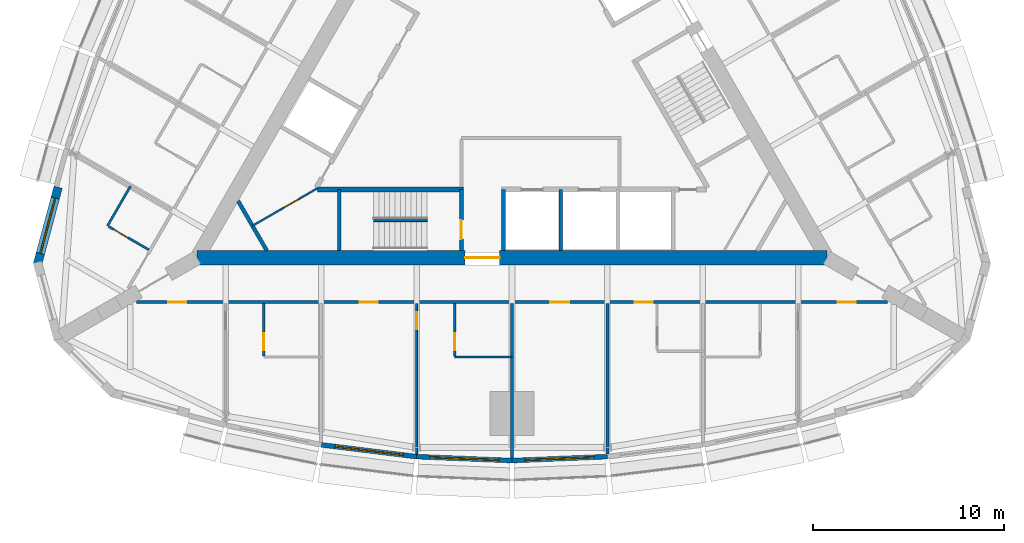
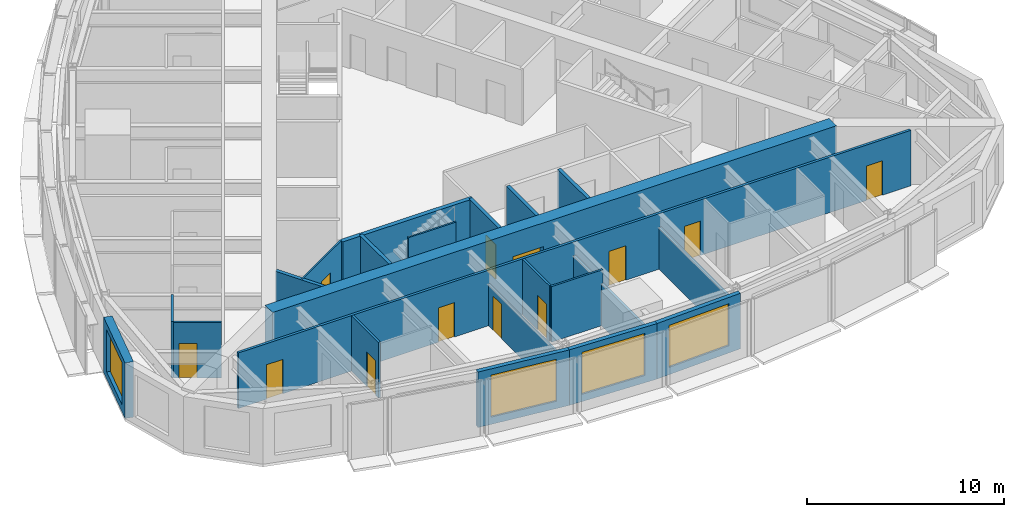
# One storey, part 9 of 15: 22 walls, 12 doors, 4 windows, 16 openings.
"""IFC4 building model written with IfcOpenShell, lengths in metres."""

from ifc_helpers import new_model, si_unit, direction, frame, frame_2d, origin, place, context, subcontext, project, spatial, rectangle, extrude, material, layer, layer_set, type_object, element, fill, save


model = new_model("IFC4")

# Units and contexts
model_context = context("Model", 3, precision=1e-05, world=origin(), true_north=direction((0.0, 1.0)))
body_context = subcontext(model_context, "Body", "Model", "MODEL_VIEW")
ifc_project = project(units=[si_unit("LENGTHUNIT", "METRE"), si_unit("AREAUNIT", "SQUARE_METRE"), si_unit("VOLUMEUNIT", "CUBIC_METRE"), si_unit("PLANEANGLEUNIT", "RADIAN"), si_unit("MASSUNIT", "GRAM", prefix="KILO")], contexts=[model_context])

# Site, building, storey
site_placement = place(None, origin())
site = spatial("IfcSite", under=ifc_project, at=site_placement, CompositionType="ELEMENT")
building_placement = place(site_placement, origin())
building = spatial("IfcBuilding", under=site, at=building_placement, Name="Trikona Tower", CompositionType="ELEMENT")
storey_placement = place(building_placement, frame((0.0, 0.0, 215.300048828125)))
storey = spatial("IfcBuildingStorey", under=building, at=storey_placement, Name="L57", CompositionType="ELEMENT", Elevation=215.300048828125)

# Wall, opening, door
ifc_material_1 = material(Name="Metal stud and cement board", Category="gypsum")
ifc_layer_1 = layer(ifc_material_1, 0.1201171875)
ifc_layer_set_1 = layer_set([ifc_layer_1], Name="Bathroom wall 120")
wall_type_1 = type_object("IfcWallType", Name="Bathroom wall 120", PredefinedType="PLUMBINGWALL", material=ifc_layer_set_1)
wall_1_placement = place(storey_placement, frame((-13.0, -11.92626953125, 0.0), z_axis=(0.0, 0.0, 1.0), x_axis=(0.0, -1.0, 0.0)))
wall_1 = element("IfcWall", 1, at=wall_1_placement, inside=storey, type_object=wall_type_1, Name="Bathroom wall 5701.1", PredefinedType="PLUMBINGWALL", context=body_context, shape_type="SweptSolid", body=[
    extrude(rectangle(XDim=2.739990234375, YDim=0.1201171875, at=frame_2d((1.3701171875, 0.0))), origin(), (0.0, 0.0, 1.0), 3.43505859375),
])
opening_1_placement = place(wall_1_placement, frame((1.550048828125, 0.0, 0.0)))
opening_1 = element("IfcOpeningElement", 2, at=opening_1_placement, cuts=wall_1, Name="Opening D2", PredefinedType="OPENING", context=body_context, shape_type="SweptSolid", body=[
    extrude(rectangle(XDim=0.89990234375, YDim=2.1298828125, at=frame_2d((0.449951171875, 1.06494140625))), frame((0.0, 0.070068359375, 0.0), z_axis=(0.0, -1.0, 0.0), x_axis=(1.0, 0.0, 0.0)), (0.0, 0.0, 1.0), 0.14013671875),
])
ifc_material_2 = material(Name="Steel door frame with solid-core timber leaf", Category="steel")
door_type_1 = type_object("IfcDoorType", Name="Bathroom door 900x2130", OperationType="SLIDING_TO_LEFT", PredefinedType="DOOR", material=ifc_material_2)
door_1_placement = place(opening_1_placement, origin())
door_1 = element("IfcDoor", 3, at=door_1_placement, inside=storey, type_object=door_type_1, Name="Bathroom door 5701.1", OperationType="SLIDING_TO_LEFT", OverallHeight=2.1298828125, OverallWidth=0.89990234375, PredefinedType="DOOR", context=body_context, shape_type="SweptSolid", body=[
    extrude(rectangle(XDim=0.89990234375, YDim=2.1298828125, at=frame_2d((0.449951171875, 1.06494140625))), frame((0.0, 0.02490234375, 0.0), z_axis=(0.0, -1.0, 0.0), x_axis=(1.0, 0.0, 0.0)), (0.0, 0.0, 1.0), 0.050048828125),
])
fill(opening_1, door_1)

# Wall
wall_2_placement = place(storey_placement, frame((-3.0, -14.726318359375, 0.0), z_axis=(0.0, 0.0, 1.0), x_axis=(1.0, 0.0, 0.0)))
element("IfcWall", 4, at=wall_2_placement, inside=storey, type_object=wall_type_1, Name="Bathroom wall 5702.1", PredefinedType="PLUMBINGWALL", context=body_context, shape_type="SweptSolid", body=[
    extrude(rectangle(XDim=3.0, YDim=0.1201171875, at=frame_2d((1.5, 0.0))), origin(), (0.0, 0.0, 1.0), 3.43505859375),
])

# Wall, opening, door
wall_3_placement = place(storey_placement, frame((-3.0, -11.92626953125, 0.0), z_axis=(0.0, 0.0, 1.0), x_axis=(0.0, -1.0, 0.0)))
wall_3 = element("IfcWall", 5, at=wall_3_placement, inside=storey, type_object=wall_type_1, Name="Bathroom wall 5702.1", PredefinedType="PLUMBINGWALL", context=body_context, shape_type="SweptSolid", body=[
    extrude(rectangle(XDim=2.739990234375, YDim=0.1201171875, at=frame_2d((1.3701171875, 0.0))), origin(), (0.0, 0.0, 1.0), 3.43505859375),
])
opening_2_placement = place(wall_3_placement, frame((1.550048828125, 0.0, 0.0)))
opening_2 = element("IfcOpeningElement", 6, at=opening_2_placement, cuts=wall_3, Name="Opening D2", PredefinedType="OPENING", context=body_context, shape_type="SweptSolid", body=[
    extrude(rectangle(XDim=0.89990234375, YDim=2.1298828125, at=frame_2d((0.449951171875, 1.06494140625))), frame((0.0, 0.070068359375, 0.0), z_axis=(0.0, -1.0, 0.0), x_axis=(1.0, 0.0, 0.0)), (0.0, 0.0, 1.0), 0.14013671875),
])
door_2_placement = place(opening_2_placement, origin())
door_2 = element("IfcDoor", 7, at=door_2_placement, inside=storey, type_object=door_type_1, Name="Bathroom door 5702.1", OperationType="SLIDING_TO_LEFT", OverallHeight=2.1298828125, OverallWidth=0.89990234375, PredefinedType="DOOR", context=body_context, shape_type="SweptSolid", body=[
    extrude(rectangle(XDim=0.89990234375, YDim=2.1298828125, at=frame_2d((0.449951171875, 1.06494140625))), frame((0.0, 0.02490234375, 0.0), z_axis=(0.0, -1.0, 0.0), x_axis=(1.0, 0.0, 0.0)), (0.0, 0.0, 1.0), 0.050048828125),
])
fill(opening_2, door_2)

# Wall
wall_4_placement = place(storey_placement, frame((-19.993408203125, -5.777099609375, 0.0), z_axis=(0.0, 0.0, 1.0), x_axis=(-0.500033551112, -0.866006032174, 0.0)))
element("IfcWall", 8, at=wall_4_placement, inside=storey, type_object=wall_type_1, Name="Bathroom wall 5716", PredefinedType="PLUMBINGWALL", context=body_context, shape_type="SweptSolid", body=[
    extrude(rectangle(XDim=2.400146484375, YDim=0.1201171875, at=frame_2d((1.2001953125, 0.0))), origin(), (0.0, 0.0, 1.0), 3.43505859375),
])

# Wall, opening, door
wall_5_placement = place(storey_placement, frame((-19.028564453125, -9.105712890625, 0.0), z_axis=(0.0, 0.0, 1.0), x_axis=(-0.866023955769, 0.500002508028, 0.0)))
wall_5 = element("IfcWall", 9, at=wall_5_placement, inside=storey, type_object=wall_type_1, Name="Bathroom wall 5716", PredefinedType="PLUMBINGWALL", context=body_context, shape_type="SweptSolid", body=[
    extrude(rectangle(XDim=2.43994140625, YDim=0.1201171875, at=frame_2d((1.219970703125, 0.0))), origin(), (0.0, 0.0, 1.0), 3.43505859375),
])
opening_3_placement = place(wall_5_placement, frame((1.25, 0.0, 0.0)))
opening_3 = element("IfcOpeningElement", 10, at=opening_3_placement, cuts=wall_5, Name="Opening D2", PredefinedType="OPENING", context=body_context, shape_type="SweptSolid", body=[
    extrude(rectangle(XDim=0.89990234375, YDim=2.1298828125, at=frame_2d((0.449951171875, 1.06494140625))), frame((0.0, 0.070068359375, 0.0), z_axis=(0.0, -1.0, 0.0), x_axis=(1.0, 0.0, 0.0)), (0.0, 0.0, 1.0), 0.14013671875),
])
door_3_placement = place(opening_3_placement, origin())
door_3 = element("IfcDoor", 11, at=door_3_placement, inside=storey, type_object=door_type_1, Name="Bathroom door 5716", OperationType="SLIDING_TO_LEFT", OverallHeight=2.1298828125, OverallWidth=0.89990234375, PredefinedType="DOOR", context=body_context, shape_type="SweptSolid", body=[
    extrude(rectangle(XDim=0.89990234375, YDim=2.1298828125, at=frame_2d((0.449951171875, 1.06494140625))), frame((0.0, 0.02490234375, 0.0), z_axis=(0.0, -1.0, 0.0), x_axis=(1.0, 0.0, 0.0)), (0.0, 0.0, 1.0), 0.050048828125),
])
fill(opening_3, door_3)

# Wall, opening, window
ifc_material_3 = material(Name="Brick-faced precast concrete", Category="masonry")
ifc_layer_2 = layer(ifc_material_3, 0.449951171875)
ifc_layer_set_2 = layer_set([ifc_layer_2], Name="Brick-faced corner wall 450")
wall_type_2 = type_object("IfcWallType", Name="Brick-faced corner wall 450", PredefinedType="SOLIDWALL", material=ifc_layer_set_2)
wall_6_placement = place(storey_placement, frame((-23.78271484375, -5.831787109375, 0.0), z_axis=(0.0, 0.0, 1.0), x_axis=(-0.258784695888, -0.965935029479, 0.0)))
wall_6 = element("IfcWall", 12, at=wall_6_placement, inside=storey, type_object=wall_type_2, Name="External wall L57-32", PredefinedType="SOLIDWALL", context=body_context, shape_type="SweptSolid", body=[
    extrude(rectangle(XDim=4.18408203125, YDim=0.449951171875, at=frame_2d((2.092041015625, 0.0))), origin(), (0.0, 0.0, 1.0), 3.43505859375),
])
opening_4_placement = place(wall_6_placement, frame((0.592041015625, 0.0, 0.449951171875)))
opening_4 = element("IfcOpeningElement", 13, at=opening_4_placement, cuts=wall_6, Name="Opening W3026", PredefinedType="OPENING", context=body_context, shape_type="SweptSolid", body=[
    extrude(rectangle(XDim=3.0, YDim=2.60009765625, at=frame_2d((1.5, 1.300048828125))), frame((0.0, 0.23486328125, 0.0), z_axis=(0.0, -1.0, 0.0), x_axis=(1.0, 0.0, 0.0)), (0.0, 0.0, 1.0), 0.469970703125),
])
ifc_material_4 = material(Name="Aluminium-framed double glazing", Category="aluminium")
window_type_1 = type_object("IfcWindowType", Name="Window 3000x2600", PartitioningType="SINGLE_PANEL", PredefinedType="WINDOW", material=ifc_material_4)
window_1_placement = place(opening_4_placement, origin())
window_1 = element("IfcWindow", 14, at=window_1_placement, inside=storey, type_object=window_type_1, Name="Window 5716", OverallHeight=2.60009765625, OverallWidth=3.0, PartitioningType="SINGLE_PANEL", PredefinedType="WINDOW", context=body_context, shape_type="SweptSolid", body=[
    extrude(rectangle(XDim=3.0, YDim=2.60009765625, at=frame_2d((1.5, 1.300048828125))), frame((0.0, 0.030029296875, 0.0), z_axis=(0.0, -1.0, 0.0), x_axis=(1.0, 0.0, 0.0)), (0.0, 0.0, 1.0), 0.06005859375),
])
fill(opening_4, window_1)

# Wall, opening, door
ifc_material_5 = material(Name="Concrete f'c 10000 psi", Category="concrete")
ifc_layer_3 = layer(ifc_material_5, 0.75)
ifc_layer_set_3 = layer_set([ifc_layer_3], Name="Core wall 750")
wall_type_3 = type_object("IfcWallType", Name="Core wall 750", PredefinedType="SHEAR", material=ifc_layer_set_3)
wall_7_placement = place(storey_placement, frame((-16.5, -9.5263671875, 0.0), z_axis=(0.0, 0.0, 1.0), x_axis=(1.0, 0.0, 0.0)))
wall_7 = element("IfcWall", 15, at=wall_7_placement, inside=storey, type_object=wall_type_3, Name="Core wall A", PredefinedType="SHEAR", context=body_context, shape_type="SweptSolid", body=[
    extrude(rectangle(XDim=33.0, YDim=0.75, at=frame_2d((16.5, 0.0))), origin(), (0.0, 0.0, 1.0), 3.599853515625),
])
opening_5_placement = place(wall_7_placement, frame((14.050048828125, 0.0, 0.0)))
opening_5 = element("IfcOpeningElement", 16, at=opening_5_placement, cuts=wall_7, Name="Opening D6", PredefinedType="OPENING", context=body_context, shape_type="SweptSolid", body=[
    extrude(rectangle(XDim=1.800048828125, YDim=2.1298828125, at=frame_2d((0.89990234375, 1.06494140625))), frame((0.0, 0.385009765625, 0.0), z_axis=(0.0, -1.0, 0.0), x_axis=(1.0, 0.0, 0.0)), (0.0, 0.0, 1.0), 0.77001953125),
])
ifc_material_6 = material(Name="Hollow metal door and frame", Category="steel")
door_type_2 = type_object("IfcDoorType", Name="Lobby door pair 1800x2130", OperationType="DOUBLE_DOOR_SINGLE_SWING", PredefinedType="DOOR", material=ifc_material_6)
door_4_placement = place(opening_5_placement, origin())
door_4 = element("IfcDoor", 17, at=door_4_placement, inside=storey, type_object=door_type_2, Name="Fire service lift lobby door", OperationType="DOUBLE_DOOR_SINGLE_SWING", OverallHeight=2.1298828125, OverallWidth=1.800048828125, PredefinedType="DOOR", context=body_context, shape_type="SweptSolid", body=[
    extrude(rectangle(XDim=1.800048828125, YDim=2.1298828125, at=frame_2d((0.89990234375, 1.06494140625))), frame((0.0, 0.02490234375, 0.0), z_axis=(0.0, -1.0, 0.0), x_axis=(1.0, 0.0, 0.0)), (0.0, 0.0, 1.0), 0.050048828125),
])
fill(opening_5, door_4)

# Wall, openings, doors
ifc_material_7 = material(Name="Metal stud and gypsum board, 1-hour", Category="gypsum")
ifc_layer_4 = layer(ifc_material_7, 0.14990234375)
ifc_layer_set_4 = layer_set([ifc_layer_4], Name="Corridor wall 150")
wall_type_4 = type_object("IfcWallType", Name="Corridor wall 150", PredefinedType="PARTITIONING", material=ifc_layer_set_4)
wall_8_placement = place(storey_placement, frame((-19.677001953125, -11.851318359375, 0.0), z_axis=(0.0, 0.0, 1.0), x_axis=(1.0, 0.0, 0.0)))
wall_8 = element("IfcWall", 18, at=wall_8_placement, inside=storey, type_object=wall_type_4, Name="Corridor wall L57-1", PredefinedType="PARTITIONING", context=body_context, shape_type="SweptSolid", body=[
    extrude(rectangle(XDim=39.35400390625, YDim=0.14990234375, at=frame_2d((19.677001953125, 0.0))), origin(), (0.0, 0.0, 1.0), 3.43505859375),
])
opening_6_placement = place(wall_8_placement, frame((1.6650390625, 0.0, 0.0)))
opening_6 = element("IfcOpeningElement", 19, at=opening_6_placement, cuts=wall_8, Name="Opening D1", PredefinedType="OPENING", context=body_context, shape_type="SweptSolid", body=[
    extrude(rectangle(XDim=0.949951171875, YDim=2.1298828125, at=frame_2d((0.47509765625, 1.06494140625))), frame((0.0, 0.0849609375, 0.0), z_axis=(0.0, -1.0, 0.0), x_axis=(1.0, 0.0, 0.0)), (0.0, 0.0, 1.0), 0.169921875),
])
opening_7_placement = place(wall_8_placement, frame((11.701904296875, 0.0, 0.0)))
opening_7 = element("IfcOpeningElement", 20, at=opening_7_placement, cuts=wall_8, Name="Opening D1", PredefinedType="OPENING", context=body_context, shape_type="SweptSolid", body=[
    extrude(rectangle(XDim=0.949951171875, YDim=2.1298828125, at=frame_2d((0.47509765625, 1.06494140625))), frame((0.0, 0.0849609375, 0.0), z_axis=(0.0, -1.0, 0.0), x_axis=(1.0, 0.0, 0.0)), (0.0, 0.0, 1.0), 0.169921875),
])
opening_8_placement = place(wall_8_placement, frame((21.677001953125, 0.0, 0.0)))
opening_8 = element("IfcOpeningElement", 21, at=opening_8_placement, cuts=wall_8, Name="Opening D3", PredefinedType="OPENING", context=body_context, shape_type="SweptSolid", body=[
    extrude(rectangle(XDim=1.0, YDim=2.1298828125, at=frame_2d((0.5, 1.06494140625))), frame((0.0, 0.0849609375, 0.0), z_axis=(0.0, -1.0, 0.0), x_axis=(1.0, 0.0, 0.0)), (0.0, 0.0, 1.0), 0.169921875),
])
opening_9_placement = place(wall_8_placement, frame((26.10205078125, 0.0, 0.0)))
opening_9 = element("IfcOpeningElement", 22, at=opening_9_placement, cuts=wall_8, Name="Opening D1", PredefinedType="OPENING", context=body_context, shape_type="SweptSolid", body=[
    extrude(rectangle(XDim=0.949951171875, YDim=2.1298828125, at=frame_2d((0.47509765625, 1.06494140625))), frame((0.0, 0.0849609375, 0.0), z_axis=(0.0, -1.0, 0.0), x_axis=(1.0, 0.0, 0.0)), (0.0, 0.0, 1.0), 0.169921875),
])
opening_10_placement = place(wall_8_placement, frame((36.739013671875, 0.0, 0.0)))
opening_10 = element("IfcOpeningElement", 23, at=opening_10_placement, cuts=wall_8, Name="Opening D1", PredefinedType="OPENING", context=body_context, shape_type="SweptSolid", body=[
    extrude(rectangle(XDim=0.949951171875, YDim=2.1298828125, at=frame_2d((0.47509765625, 1.06494140625))), frame((0.0, 0.0849609375, 0.0), z_axis=(0.0, -1.0, 0.0), x_axis=(1.0, 0.0, 0.0)), (0.0, 0.0, 1.0), 0.169921875),
])
ifc_material_8 = material(Name="Steel door frame with solid-core timber leaf", Category="steel")
door_type_3 = type_object("IfcDoorType", Name="Guest room door 950x2130", OperationType="SINGLE_SWING_LEFT", PredefinedType="DOOR", material=ifc_material_8)
door_5_placement = place(opening_6_placement, origin())
door_5 = element("IfcDoor", 24, at=door_5_placement, inside=storey, type_object=door_type_3, Name="Room door 5701", OperationType="SINGLE_SWING_LEFT", OverallHeight=2.1298828125, OverallWidth=0.949951171875, PredefinedType="DOOR", context=body_context, shape_type="SweptSolid", body=[
    extrude(rectangle(XDim=0.949951171875, YDim=2.1298828125, at=frame_2d((0.47509765625, 1.06494140625))), frame((0.0, 0.02490234375, 0.0), z_axis=(0.0, -1.0, 0.0), x_axis=(1.0, 0.0, 0.0)), (0.0, 0.0, 1.0), 0.050048828125),
])
fill(opening_6, door_5)
door_6_placement = place(opening_7_placement, origin())
door_6 = element("IfcDoor", 25, at=door_6_placement, inside=storey, type_object=door_type_3, Name="Room door 5702", OperationType="SINGLE_SWING_RIGHT", OverallHeight=2.1298828125, OverallWidth=0.949951171875, PredefinedType="DOOR", context=body_context, shape_type="SweptSolid", body=[
    extrude(rectangle(XDim=0.949951171875, YDim=2.1298828125, at=frame_2d((0.47509765625, 1.06494140625))), frame((0.0, 0.02490234375, 0.0), z_axis=(0.0, -1.0, 0.0), x_axis=(1.0, 0.0, 0.0)), (0.0, 0.0, 1.0), 0.050048828125),
])
fill(opening_7, door_6)
door_7_placement = place(opening_9_placement, origin())
door_7 = element("IfcDoor", 26, at=door_7_placement, inside=storey, type_object=door_type_3, Name="Room door 5703", OperationType="SINGLE_SWING_RIGHT", OverallHeight=2.1298828125, OverallWidth=0.949951171875, PredefinedType="DOOR", context=body_context, shape_type="SweptSolid", body=[
    extrude(rectangle(XDim=0.949951171875, YDim=2.1298828125, at=frame_2d((0.47509765625, 1.06494140625))), frame((0.0, 0.02490234375, 0.0), z_axis=(0.0, -1.0, 0.0), x_axis=(1.0, 0.0, 0.0)), (0.0, 0.0, 1.0), 0.050048828125),
])
fill(opening_9, door_7)
door_8_placement = place(opening_10_placement, origin())
door_8 = element("IfcDoor", 27, at=door_8_placement, inside=storey, type_object=door_type_3, Name="Room door 5704", OperationType="SINGLE_SWING_RIGHT", OverallHeight=2.1298828125, OverallWidth=0.949951171875, PredefinedType="DOOR", context=body_context, shape_type="SweptSolid", body=[
    extrude(rectangle(XDim=0.949951171875, YDim=2.1298828125, at=frame_2d((0.47509765625, 1.06494140625))), frame((0.0, 0.02490234375, 0.0), z_axis=(0.0, -1.0, 0.0), x_axis=(1.0, 0.0, 0.0)), (0.0, 0.0, 1.0), 0.050048828125),
])
fill(opening_10, door_8)
ifc_material_9 = material(Name="Steel door frame with solid-core timber leaf", Category="steel")
door_type_4 = type_object("IfcDoorType", Name="Room door 1000x2130", OperationType="SINGLE_SWING_LEFT", PredefinedType="DOOR", material=ifc_material_9)
door_9_placement = place(opening_8_placement, origin())
door_9 = element("IfcDoor", 28, at=door_9_placement, inside=storey, type_object=door_type_4, Name="Door Housekeeping pantry", OperationType="SINGLE_SWING_LEFT", OverallHeight=2.1298828125, OverallWidth=1.0, PredefinedType="DOOR", context=body_context, shape_type="SweptSolid", body=[
    extrude(rectangle(XDim=1.0, YDim=2.1298828125, at=frame_2d((0.5, 1.06494140625))), frame((0.0, 0.02490234375, 0.0), z_axis=(0.0, -1.0, 0.0), x_axis=(1.0, 0.0, 0.0)), (0.0, 0.0, 1.0), 0.050048828125),
])
fill(opening_8, door_9)

# Wall
ifc_material_10 = material(Name="Concrete f'c 8000 psi", Category="concrete")
ifc_layer_5 = layer(ifc_material_10, 0.25)
ifc_layer_set_5 = layer_set([ifc_layer_5], Name="Hub wall 250")
wall_type_5 = type_object("IfcWallType", Name="Hub wall 250", PredefinedType="SOLIDWALL", material=ifc_layer_set_5)
wall_9_placement = place(storey_placement, frame((-10.182861328125, -5.951416015625, 0.0), z_axis=(0.0, 0.0, 1.0), x_axis=(1.0, 0.0, 0.0)))
element("IfcWall", 29, at=wall_9_placement, inside=storey, type_object=wall_type_5, Name="Lift lobby wall A1", PredefinedType="SOLIDWALL", context=body_context, shape_type="SweptSolid", body=[
    extrude(rectangle(XDim=7.6328125, YDim=0.25, at=frame_2d((3.81640625, 0.0))), origin(), (0.0, 0.0, 1.0), 3.43505859375),
])

# Wall, opening, window
ifc_material_11 = material(Name="Insulated precast concrete spandrel panel", Category="concrete")
ifc_layer_6 = layer(ifc_material_11, 0.25)
ifc_layer_set_6 = layer_set([ifc_layer_6], Name="Inner skin wall 250")
wall_type_6 = type_object("IfcWallType", Name="Inner skin wall 250", PredefinedType="STANDARD", material=ifc_layer_set_6)
wall_10_placement = place(storey_placement, frame((-9.984619140625, -19.330078125, 0.0), z_axis=(0.0, 0.0, 1.0), x_axis=(0.992449874964, -0.12265090984, 0.0)))
wall_10 = element("IfcWall", 30, at=wall_10_placement, inside=storey, type_object=wall_type_6, Name="External wall L57-02", PredefinedType="STANDARD", context=body_context, shape_type="SweptSolid", body=[
    extrude(rectangle(XDim=5.0380859375, YDim=0.25, at=frame_2d((2.51904296875, 0.0))), origin(), (0.0, 0.0, 1.0), 3.43505859375),
])
opening_11_placement = place(wall_10_placement, frame((0.718994140625, 0.0, 0.449951171875)))
opening_11 = element("IfcOpeningElement", 31, at=opening_11_placement, cuts=wall_10, Name="Opening W3626", PredefinedType="OPENING", context=body_context, shape_type="SweptSolid", body=[
    extrude(rectangle(XDim=3.60009765625, YDim=2.60009765625, at=frame_2d((1.800048828125, 1.300048828125))), frame((0.0, 0.135009765625, 0.0), z_axis=(0.0, -1.0, 0.0), x_axis=(1.0, 0.0, 0.0)), (0.0, 0.0, 1.0), 0.27001953125),
])
ifc_material_12 = material(Name="Aluminium-framed double glazing", Category="aluminium")
window_type_2 = type_object("IfcWindowType", Name="Window 3600x2600", PartitioningType="SINGLE_PANEL", PredefinedType="WINDOW", material=ifc_material_12)
window_2_placement = place(opening_11_placement, origin())
window_2 = element("IfcWindow", 32, at=window_2_placement, inside=storey, type_object=window_type_2, Name="Window 5702", OverallHeight=2.60009765625, OverallWidth=3.60009765625, PartitioningType="SINGLE_PANEL", PredefinedType="WINDOW", context=body_context, shape_type="SweptSolid", body=[
    extrude(rectangle(XDim=3.60009765625, YDim=2.60009765625, at=frame_2d((1.800048828125, 1.300048828125))), frame((0.0, 0.030029296875, 0.0), z_axis=(0.0, -1.0, 0.0), x_axis=(1.0, 0.0, 0.0)), (0.0, 0.0, 1.0), 0.06005859375),
])
fill(opening_11, window_2)

wall_11_placement = place(storey_placement, frame((-4.994873046875, -19.947021484375, 0.0), z_axis=(0.0, 0.0, 1.0), x_axis=(0.999151909423, -0.041175986892, 0.0)))
wall_11 = element("IfcWall", 33, at=wall_11_placement, inside=storey, type_object=wall_type_6, Name="External wall L57-03", PredefinedType="STANDARD", context=body_context, shape_type="SweptSolid", body=[
    extrude(rectangle(XDim=5.004150390625, YDim=0.25, at=frame_2d((2.501953125, 0.0))), origin(), (0.0, 0.0, 1.0), 3.43505859375),
])
opening_12_placement = place(wall_11_placement, frame((0.7021484375, 0.0, 0.449951171875)))
opening_12 = element("IfcOpeningElement", 34, at=opening_12_placement, cuts=wall_11, Name="Opening W3626", PredefinedType="OPENING", context=body_context, shape_type="SweptSolid", body=[
    extrude(rectangle(XDim=3.60009765625, YDim=2.60009765625, at=frame_2d((1.800048828125, 1.300048828125))), frame((0.0, 0.135009765625, 0.0), z_axis=(0.0, -1.0, 0.0), x_axis=(1.0, 0.0, 0.0)), (0.0, 0.0, 1.0), 0.27001953125),
])
window_3_placement = place(opening_12_placement, origin())
window_3 = element("IfcWindow", 35, at=window_3_placement, inside=storey, type_object=window_type_2, Name="Window 5702.1", OverallHeight=2.60009765625, OverallWidth=3.60009765625, PartitioningType="SINGLE_PANEL", PredefinedType="WINDOW", context=body_context, shape_type="SweptSolid", body=[
    extrude(rectangle(XDim=3.60009765625, YDim=2.60009765625, at=frame_2d((1.800048828125, 1.300048828125))), frame((0.0, 0.030029296875, 0.0), z_axis=(0.0, -1.0, 0.0), x_axis=(1.0, 0.0, 0.0)), (0.0, 0.0, 1.0), 0.06005859375),
])
fill(opening_12, window_3)

wall_12_placement = place(storey_placement, frame((-0.005126953125, -20.153076171875, 0.0), z_axis=(0.0, 0.0, 1.0), x_axis=(0.999151909423, 0.041175986892, 0.0)))
wall_12 = element("IfcWall", 36, at=wall_12_placement, inside=storey, type_object=wall_type_6, Name="External wall L57-04", PredefinedType="STANDARD", context=body_context, shape_type="SweptSolid", body=[
    extrude(rectangle(XDim=5.004150390625, YDim=0.25, at=frame_2d((2.501953125, 0.0))), origin(), (0.0, 0.0, 1.0), 3.43505859375),
])
opening_13_placement = place(wall_12_placement, frame((0.7021484375, 0.0, 0.449951171875)))
opening_13 = element("IfcOpeningElement", 37, at=opening_13_placement, cuts=wall_12, Name="Opening W3626", PredefinedType="OPENING", context=body_context, shape_type="SweptSolid", body=[
    extrude(rectangle(XDim=3.60009765625, YDim=2.60009765625, at=frame_2d((1.800048828125, 1.300048828125))), frame((0.0, 0.135009765625, 0.0), z_axis=(0.0, -1.0, 0.0), x_axis=(1.0, 0.0, 0.0)), (0.0, 0.0, 1.0), 0.27001953125),
])
window_4_placement = place(opening_13_placement, origin())
window_4 = element("IfcWindow", 38, at=window_4_placement, inside=storey, type_object=window_type_2, Name="Window L57-HKP", OverallHeight=2.60009765625, OverallWidth=3.60009765625, PartitioningType="SINGLE_PANEL", PredefinedType="WINDOW", context=body_context, shape_type="SweptSolid", body=[
    extrude(rectangle(XDim=3.60009765625, YDim=2.60009765625, at=frame_2d((1.800048828125, 1.300048828125))), frame((0.0, 0.030029296875, 0.0), z_axis=(0.0, -1.0, 0.0), x_axis=(1.0, 0.0, 0.0)), (0.0, 0.0, 1.0), 0.06005859375),
])
fill(opening_13, window_4)

# Walls
ifc_material_13 = material(Name="Metal stud and gypsum board, 1-hour acoustic", Category="gypsum")
ifc_layer_7 = layer(ifc_material_13, 0.14990234375)
ifc_layer_set_7 = layer_set([ifc_layer_7], Name="Party wall 150")
wall_type_7 = type_object("IfcWallType", Name="Party wall 150", PredefinedType="PARTITIONING", material=ifc_layer_set_7)
wall_13_placement = place(storey_placement, frame((0.0, -11.92626953125, 0.0), z_axis=(0.0, 0.0, 1.0), x_axis=(0.0, -1.0, 0.0)))
element("IfcWall", 39, at=wall_13_placement, inside=storey, type_object=wall_type_7, Name="Partition L57 F1 u0", PredefinedType="PARTITIONING", context=body_context, shape_type="SweptSolid", body=[
    extrude(rectangle(XDim=8.101318359375, YDim=0.14990234375, at=frame_2d((4.05078125, 0.0))), origin(), (0.0, 0.0, 1.0), 2.589111328125),
])
wall_14_placement = place(storey_placement, frame((5.0, -11.92626953125, 0.0), z_axis=(0.0, 0.0, 1.0), x_axis=(0.0, -1.0, 0.0)))
element("IfcWall", 40, at=wall_14_placement, inside=storey, type_object=wall_type_7, Name="Partition L57 F1 u5", PredefinedType="PARTITIONING", context=body_context, shape_type="SweptSolid", body=[
    extrude(rectangle(XDim=7.893798828125, YDim=0.14990234375, at=frame_2d((3.94677734375, 0.0))), origin(), (0.0, 0.0, 1.0), 2.589111328125),
])
ifc_material_14 = material(Name="Concrete f'c 8000 psi", Category="concrete")
ifc_layer_8 = layer(ifc_material_14, 0.199951171875)
ifc_layer_set_8 = layer_set([ifc_layer_8], Name="Shaft wall 200")
wall_type_8 = type_object("IfcWallType", Name="Shaft wall 200", PredefinedType="SOLIDWALL", material=ifc_layer_set_8)
for number, where, z_axis, x_axis, name in (
    (41, (-0.449951171875, -5.951416015625, 0.0), (0.0, 0.0, 1.0), (0.0, -1.0, 0.0), "Shaft wall A3"),
    (42, (2.550048828125, -5.951416015625, 0.0), (0.0, 0.0, 1.0), (0.0, -1.0, 0.0), "Shaft wall A4"),
):
    element("IfcWall", number, at=place(storey_placement, frame(where, z_axis=z_axis, x_axis=x_axis)), inside=storey, type_object=wall_type_8, Name=name, PredefinedType="SOLIDWALL", context=body_context, shape_type="SweptSolid", body=[
        extrude(rectangle(XDim=3.199951171875, YDim=0.199951171875, at=frame_2d((1.60009765625, 0.0))), origin(), (0.0, 0.0, 1.0), 3.43505859375),
    ])
wall_15_placement = place(storey_placement, frame((-12.848388671875, -9.1513671875, 0.0), z_axis=(0.0, 0.0, 1.0), x_axis=(-0.499952404951, 0.866052881055, 0.0)))
element("IfcWall", 43, at=wall_15_placement, inside=storey, type_object=wall_type_8, Name="Riser wall L57-RS3", PredefinedType="SOLIDWALL", context=body_context, shape_type="SweptSolid", body=[
    extrude(rectangle(XDim=3.002197265625, YDim=0.199951171875, at=frame_2d((1.5009765625, 0.0))), origin(), (0.0, 0.0, 1.0), 3.43505859375),
])
ifc_material_15 = material(Name="Concrete f'c 8000 psi", Category="concrete")
ifc_layer_9 = layer(ifc_material_15, 0.199951171875)
ifc_layer_set_9 = layer_set([ifc_layer_9], Name="Shaft wall 200 load-bearing")
wall_type_9 = type_object("IfcWallType", Name="Shaft wall 200 load-bearing", PredefinedType="SOLIDWALL", material=ifc_layer_set_9)
wall_16_placement = place(storey_placement, frame((-9.050048828125, -5.951416015625, 0.0), z_axis=(0.0, 0.0, 1.0), x_axis=(0.0, -1.0, 0.0)))
element("IfcWall", 44, at=wall_16_placement, inside=storey, type_object=wall_type_9, Name="Shaft wall A1", PredefinedType="SOLIDWALL", context=body_context, shape_type="SweptSolid", body=[
    extrude(rectangle(XDim=3.199951171875, YDim=0.199951171875, at=frame_2d((1.60009765625, 0.0))), origin(), (0.0, 0.0, 1.0), 3.43505859375),
])

# Wall, opening, door
wall_17_placement = place(storey_placement, frame((-2.64990234375, -5.951416015625, 0.0), z_axis=(0.0, 0.0, 1.0), x_axis=(0.0, -1.0, 0.0)))
wall_17 = element("IfcWall", 45, at=wall_17_placement, inside=storey, type_object=wall_type_9, Name="Shaft wall A2", PredefinedType="SOLIDWALL", context=body_context, shape_type="SweptSolid", body=[
    extrude(rectangle(XDim=3.199951171875, YDim=0.199951171875, at=frame_2d((1.60009765625, 0.0))), origin(), (0.0, 0.0, 1.0), 3.43505859375),
])
opening_14_placement = place(wall_17_placement, frame((1.60009765625, 0.0, 0.0)))
opening_14 = element("IfcOpeningElement", 46, at=opening_14_placement, cuts=wall_17, Name="Opening D5", PredefinedType="OPENING", context=body_context, shape_type="SweptSolid", body=[
    extrude(rectangle(XDim=1.0, YDim=2.1298828125, at=frame_2d((0.5, 1.06494140625))), frame((0.0, 0.10986328125, 0.0), z_axis=(0.0, -1.0, 0.0), x_axis=(1.0, 0.0, 0.0)), (0.0, 0.0, 1.0), 0.219970703125),
])
ifc_material_16 = material(Name="Hollow metal door and frame", Category="steel")
door_type_5 = type_object("IfcDoorType", Name="Stair door 1000x2130", OperationType="SINGLE_SWING_LEFT", PredefinedType="DOOR", material=ifc_material_16)
door_10_placement = place(opening_14_placement, origin())
door_10 = element("IfcDoor", 47, at=door_10_placement, inside=storey, type_object=door_type_5, Name="Stair A door", OperationType="SINGLE_SWING_RIGHT", OverallHeight=2.1298828125, OverallWidth=1.0, PredefinedType="DOOR", context=body_context, shape_type="SweptSolid", body=[
    extrude(rectangle(XDim=1.0, YDim=2.1298828125, at=frame_2d((0.5, 1.06494140625))), frame((0.0, 0.02490234375, 0.0), z_axis=(0.0, -1.0, 0.0), x_axis=(1.0, 0.0, 0.0)), (0.0, 0.0, 1.0), 0.050048828125),
])
fill(opening_14, door_10)

# Wall
ifc_material_17 = material(Name="Concrete f'c 5000 psi", Category="concrete")
ifc_layer_10 = layer(ifc_material_17, 0.10009765625)
ifc_layer_set_10 = layer_set([ifc_layer_10], Name="Stair spine wall 100")
wall_type_10 = type_object("IfcWallType", Name="Stair spine wall 100", PredefinedType="SOLIDWALL", material=ifc_layer_set_10)
wall_18_placement = place(storey_placement, frame((-7.2470703125, -7.576416015625, 0.0), z_axis=(0.0, 0.0, 1.0), x_axis=(1.0, 0.0, 0.0)))
element("IfcWall", 48, at=wall_18_placement, inside=storey, type_object=wall_type_10, Name="Stair A spine wall L57", PredefinedType="SOLIDWALL", context=body_context, shape_type="SweptSolid", body=[
    extrude(rectangle(XDim=2.794189453125, YDim=0.10009765625, at=frame_2d((1.39697265625, 0.0))), origin(), (0.0, 0.0, 1.0), 3.599853515625),
])

# Wall, opening, door
ifc_material_18 = material(Name="Metal stud and gypsum board, acoustic", Category="gypsum")
ifc_layer_11 = layer(ifc_material_18, 0.10009765625)
ifc_layer_set_11 = layer_set([ifc_layer_11], Name="Suite partition 100")
wall_type_11 = type_object("IfcWallType", Name="Suite partition 100", PredefinedType="PARTITIONING", material=ifc_layer_set_11)
wall_19_placement = place(storey_placement, frame((-5.0, -11.92626953125, 0.0), z_axis=(0.0, 0.0, 1.0), x_axis=(0.0, -1.0, 0.0)))
wall_19 = element("IfcWall", 49, at=wall_19_placement, inside=storey, type_object=wall_type_11, Name="Suite partition L57 F1 u-5", PredefinedType="PARTITIONING", context=body_context, shape_type="SweptSolid", body=[
    extrude(rectangle(XDim=7.893798828125, YDim=0.10009765625, at=frame_2d((3.94677734375, 0.0))), origin(), (0.0, 0.0, 1.0), 2.589111328125),
])
opening_15_placement = place(wall_19_placement, frame((0.449951171875, 0.0, 0.0)))
opening_15 = element("IfcOpeningElement", 50, at=opening_15_placement, cuts=wall_19, Name="Opening D13", PredefinedType="OPENING", context=body_context, shape_type="SweptSolid", body=[
    extrude(rectangle(XDim=0.89990234375, YDim=2.1298828125, at=frame_2d((0.449951171875, 1.06494140625))), frame((0.0, 0.06005859375, 0.0), z_axis=(0.0, -1.0, 0.0), x_axis=(1.0, 0.0, 0.0)), (0.0, 0.0, 1.0), 0.1201171875),
])
ifc_material_19 = material(Name="Steel door frame with solid-core timber leaf", Category="steel")
door_type_6 = type_object("IfcDoorType", Name="Suite door 900x2130", OperationType="SINGLE_SWING_LEFT", PredefinedType="DOOR", material=ifc_material_19)
door_11_placement = place(opening_15_placement, origin())
door_11 = element("IfcDoor", 51, at=door_11_placement, inside=storey, type_object=door_type_6, Name="Suite door 5702", OperationType="SINGLE_SWING_LEFT", OverallHeight=2.1298828125, OverallWidth=0.89990234375, PredefinedType="DOOR", context=body_context, shape_type="SweptSolid", body=[
    extrude(rectangle(XDim=0.89990234375, YDim=2.1298828125, at=frame_2d((0.449951171875, 1.06494140625))), frame((0.0, 0.02490234375, 0.0), z_axis=(0.0, -1.0, 0.0), x_axis=(1.0, 0.0, 0.0)), (0.0, 0.0, 1.0), 0.050048828125),
])
fill(opening_15, door_11)

wall_20_placement = place(storey_placement, frame((-13.598876953125, -7.851318359375, 0.0), z_axis=(0.0, 0.0, 1.0), x_axis=(0.866026081073, 0.499998826899, 0.0)))
wall_20 = element("IfcWall", 52, at=wall_20_placement, inside=storey, type_object=wall_type_11, Name="Store partition L57-RS3", PredefinedType="PARTITIONING", context=body_context, shape_type="SweptSolid", body=[
    extrude(rectangle(XDim=3.92529296875, YDim=0.10009765625, at=frame_2d((1.962646484375, 0.0))), origin(), (0.0, 0.0, 1.0), 3.43505859375),
])
opening_16_placement = place(wall_20_placement, frame((1.905029296875, 0.0, 0.0)))
opening_16 = element("IfcOpeningElement", 53, at=opening_16_placement, cuts=wall_20, Name="Opening D15", PredefinedType="OPENING", context=body_context, shape_type="SweptSolid", body=[
    extrude(rectangle(XDim=0.89990234375, YDim=2.1298828125, at=frame_2d((0.449951171875, 1.06494140625))), frame((0.0, 0.06005859375, 0.0), z_axis=(0.0, -1.0, 0.0), x_axis=(1.0, 0.0, 0.0)), (0.0, 0.0, 1.0), 0.1201171875),
])
ifc_material_20 = material(Name="Steel door frame with solid-core timber leaf", Category="steel")
door_type_7 = type_object("IfcDoorType", Name="Store door 900x2130", OperationType="SINGLE_SWING_LEFT", PredefinedType="DOOR", material=ifc_material_20)
door_12_placement = place(opening_16_placement, origin())
door_12 = element("IfcDoor", 54, at=door_12_placement, inside=storey, type_object=door_type_7, Name="Door Uniform store UNF", OperationType="SINGLE_SWING_RIGHT", OverallHeight=2.1298828125, OverallWidth=0.89990234375, PredefinedType="DOOR", context=body_context, shape_type="SweptSolid", body=[
    extrude(rectangle(XDim=0.89990234375, YDim=2.1298828125, at=frame_2d((0.449951171875, 1.06494140625))), frame((0.0, 0.02490234375, 0.0), z_axis=(0.0, -1.0, 0.0), x_axis=(1.0, 0.0, 0.0)), (0.0, 0.0, 1.0), 0.050048828125),
])
fill(opening_16, door_12)

save(model, "model.ifc")
